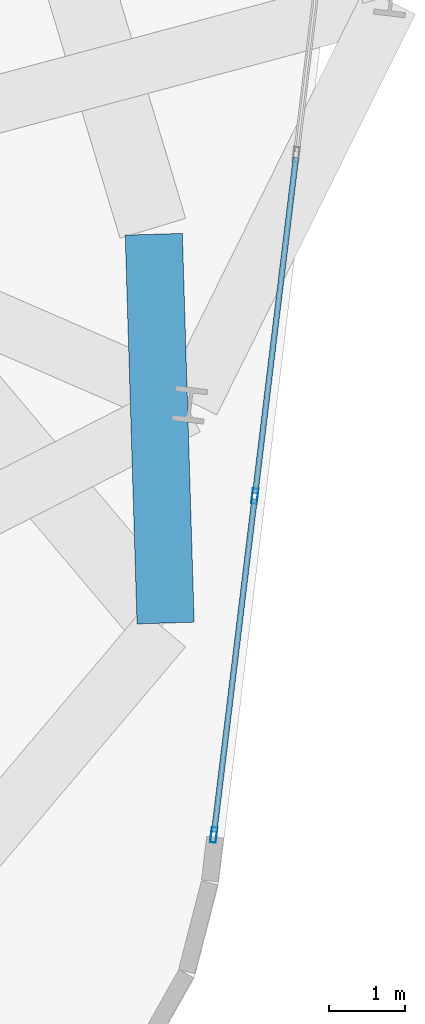
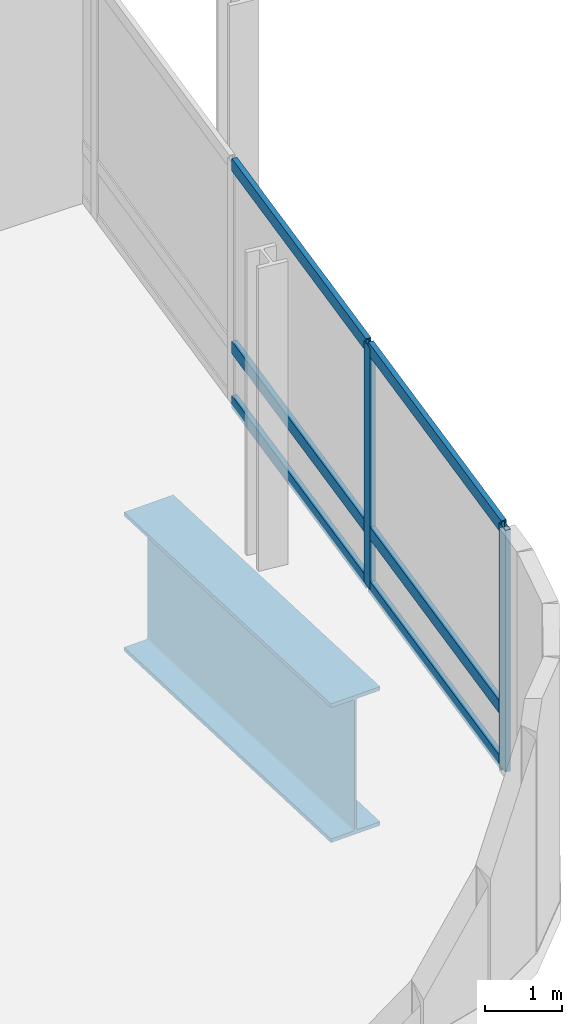
# One storey, part 10 of 22: 8 members, 1 beam, 1 element without a shape of its own.
"""IFC4 building model written with IfcOpenShell, lengths in metres."""

from ifc_helpers import new_model, si_unit, direction, frame, origin, origin_2d, place, context, subcontext, project, spatial, hollow_rectangle, i_section, extrude, material, layer, layer_set, material_profile, profile_set, type_object, element, aggregate, save


model = new_model("IFC4")

# Units and contexts
model_context = context("Model", 3, precision=1e-05, world=origin(), true_north=direction((0.0, 1.0)))
body_context = subcontext(model_context, "Body", "Model", "MODEL_VIEW")
ifc_project = project(units=[si_unit("LENGTHUNIT", "METRE"), si_unit("AREAUNIT", "SQUARE_METRE"), si_unit("VOLUMEUNIT", "CUBIC_METRE"), si_unit("PLANEANGLEUNIT", "RADIAN"), si_unit("MASSUNIT", "GRAM", prefix="KILO")], contexts=[model_context])

# Site, building, storey
site_placement = place(None, origin())
site = spatial("IfcSite", under=ifc_project, at=site_placement, CompositionType="ELEMENT")
building_placement = place(site_placement, origin())
building = spatial("IfcBuilding", under=site, at=building_placement, Name="Varnelok Gate Tower", CompositionType="ELEMENT")
storey_placement = place(building_placement, frame((0.0, 0.0, 116.89990234375)))
storey = spatial("IfcBuildingStorey", under=building, at=storey_placement, Name="L29", CompositionType="ELEMENT", Elevation=116.89990234375)

# Beam
ifc_material_1 = material(Name="Structural Steel ASTM A572 Grade 50", Category="steel")
ifc_material_profile_1 = material_profile(ifc_material_1, i_section(OverallWidth=0.75, OverallDepth=2.199951171875, WebThickness=0.031982421875, FlangeThickness=0.06005859375, FilletRadius=0.028076171875, at=origin_2d()), Name="PG2200X750")
ifc_profile_set_1 = profile_set([ifc_material_profile_1], Name="Structural Steel ASTM A572 Grade 50")
beam_type = type_object("IfcBeamType", Name="BM-TR-PG2200", PredefinedType="BEAM", material=ifc_profile_set_1)
beam_placement = place(storey_placement, frame((71.475341796875, 8.212646484375, -1.419921875), z_axis=(-0.030376021741, 0.99953854218, 0.0), x_axis=(-0.99953854218, -0.030376021741, 0.0)))
element("IfcBeam", 1, at=beam_placement, inside=storey, type_object=beam_type, Name="L29 Transfer Support Ring Girder 7", PredefinedType="BEAM", context=body_context, shape_type="SweptSolid", body=[
    extrude(i_section(OverallWidth=0.75, OverallDepth=2.199951171875, WebThickness=0.031982421875, FlangeThickness=0.06005859375, FilletRadius=0.028076171875, at=origin_2d()), origin(), (0.0, 0.0, 1.0), 5.103759765625),
])

# Curtain wall, members
ifc_material_2 = material(Name="Anodized Aluminum Alloy 6063-T6", Category="aluminium")
ifc_layer = layer(ifc_material_2, 0.179931640625)
ifc_layer_set = layer_set([ifc_layer], Name="Anodized Aluminum Alloy 6063-T6")
curtain_wall_type = type_object("IfcCurtainWallType", Name="CW2-ATRIUM-GLAZING", PredefinedType="USERDEFINED", material=ifc_layer_set)
curtain_wall_placement = place(storey_placement, origin())
curtain_wall = element("IfcCurtainWall", 2, at=curtain_wall_placement, inside=storey, type_object=curtain_wall_type, Name="L29 East End Vision Curtain Wall", ObjectType="UNITISED CURTAIN WALL", PredefinedType="USERDEFINED")
ifc_material_profile_2 = material_profile(ifc_material_2, hollow_rectangle(XDim=0.074951171875, YDim=0.199951171875, WallThickness=0.00390625, at=origin_2d()), Name="ALU200X75X4")
ifc_profile_set_2 = profile_set([ifc_material_profile_2], Name="Anodized Aluminum Alloy 6063-T6")
member_type_1 = type_object("IfcMemberType", Name="CW-MULL-200", PredefinedType="MULLION", material=ifc_profile_set_2)
member_1_placement = place(storey_placement, frame((72.64697265625, 9.876953125, 0.0), z_axis=(0.0, 0.0, 1.0), x_axis=(0.992732166735, -0.120344692987, 0.0)))
member_1 = element("IfcMember", 3, at=member_1_placement, type_object=member_type_1, Name="CW2 mullion 7", PredefinedType="MULLION", context=body_context, shape_type="SweptSolid", body=[
    extrude(hollow_rectangle(XDim=0.074951171875, YDim=0.199951171875, WallThickness=0.00390625, at=origin_2d()), origin(), (0.0, 0.0, 1.0), 3.830078125),
])
member_2_placement = place(storey_placement, frame((72.108154296875, 5.4326171875, 0.0), z_axis=(0.0, 0.0, 1.0), x_axis=(0.992732166735, -0.120344692987, 0.0)))
member_2 = element("IfcMember", 4, at=member_2_placement, type_object=member_type_1, Name="CW2 mullion 8", PredefinedType="MULLION", context=body_context, shape_type="SweptSolid", body=[
    extrude(hollow_rectangle(XDim=0.074951171875, YDim=0.199951171875, WallThickness=0.00390625, at=origin_2d()), origin(), (0.0, 0.0, 1.0), 3.830078125),
])
ifc_material_profile_3 = material_profile(ifc_material_2, hollow_rectangle(XDim=0.074951171875, YDim=0.199951171875, WallThickness=0.00390625, at=origin_2d()), Name="ALU200X75X4")
ifc_profile_set_3 = profile_set([ifc_material_profile_3], Name="Anodized Aluminum Alloy 6063-T6")
member_type_2 = type_object("IfcMemberType", Name="CW-TRAN-200", PredefinedType="USERDEFINED", material=ifc_profile_set_3)
member_3_placement = place(storey_placement, frame((73.185791015625, 14.3212890625, 0.03759765625), z_axis=(-0.120385566713, -0.992727210933, 0.0), x_axis=(0.992727210933, -0.120385566713, 0.0)))
member_3 = element("IfcMember", 5, at=member_3_placement, type_object=member_type_2, Name="CW2 transom 6.1", ObjectType="TRANSOM", PredefinedType="USERDEFINED", context=body_context, shape_type="SweptSolid", body=[
    extrude(hollow_rectangle(XDim=0.074951171875, YDim=0.199951171875, WallThickness=0.00390625, at=origin_2d()), origin(), (0.0, 0.0, 1.0), 4.439208984375),
])
member_4_placement = place(storey_placement, frame((73.185791015625, 14.3212890625, 0.900146484375), z_axis=(-0.120385566713, -0.992727210933, 0.0), x_axis=(0.992727210933, -0.120385566713, 0.0)))
member_4 = element("IfcMember", 6, at=member_4_placement, type_object=member_type_2, Name="CW2 transom 6.2", ObjectType="TRANSOM", PredefinedType="USERDEFINED", context=body_context, shape_type="SweptSolid", body=[
    extrude(hollow_rectangle(XDim=0.074951171875, YDim=0.199951171875, WallThickness=0.00390625, at=origin_2d()), origin(), (0.0, 0.0, 1.0), 4.439208984375),
])
member_5_placement = place(storey_placement, frame((73.185791015625, 14.3212890625, 3.79248046875), z_axis=(-0.120385566713, -0.992727210933, 0.0), x_axis=(0.992727210933, -0.120385566713, 0.0)))
member_5 = element("IfcMember", 7, at=member_5_placement, type_object=member_type_2, Name="CW2 transom 6.3", ObjectType="TRANSOM", PredefinedType="USERDEFINED", context=body_context, shape_type="SweptSolid", body=[
    extrude(hollow_rectangle(XDim=0.074951171875, YDim=0.199951171875, WallThickness=0.00390625, at=origin_2d()), origin(), (0.0, 0.0, 1.0), 4.439208984375),
])
member_6_placement = place(storey_placement, frame((72.642578125, 9.83984375, 0.03759765625), z_axis=(-0.120354556512, -0.992730970972, 0.0), x_axis=(0.992730970972, -0.120354556512, 0.0)))
member_6 = element("IfcMember", 8, at=member_6_placement, type_object=member_type_2, Name="CW2 transom 7.1", ObjectType="TRANSOM", PredefinedType="USERDEFINED", context=body_context, shape_type="SweptSolid", body=[
    extrude(hollow_rectangle(XDim=0.074951171875, YDim=0.199951171875, WallThickness=0.00390625, at=origin_2d()), origin(), (0.0, 0.0, 1.0), 4.40185546875),
])
member_7_placement = place(storey_placement, frame((72.642578125, 9.83984375, 0.900146484375), z_axis=(-0.120354556512, -0.992730970972, 0.0), x_axis=(0.992730970972, -0.120354556512, 0.0)))
member_7 = element("IfcMember", 9, at=member_7_placement, type_object=member_type_2, Name="CW2 transom 7.2", ObjectType="TRANSOM", PredefinedType="USERDEFINED", context=body_context, shape_type="SweptSolid", body=[
    extrude(hollow_rectangle(XDim=0.074951171875, YDim=0.199951171875, WallThickness=0.00390625, at=origin_2d()), origin(), (0.0, 0.0, 1.0), 4.40185546875),
])
member_8_placement = place(storey_placement, frame((72.642578125, 9.83984375, 3.79248046875), z_axis=(-0.120354556512, -0.992730970972, 0.0), x_axis=(0.992730970972, -0.120354556512, 0.0)))
member_8 = element("IfcMember", 10, at=member_8_placement, type_object=member_type_2, Name="CW2 transom 7.3", ObjectType="TRANSOM", PredefinedType="USERDEFINED", context=body_context, shape_type="SweptSolid", body=[
    extrude(hollow_rectangle(XDim=0.074951171875, YDim=0.199951171875, WallThickness=0.00390625, at=origin_2d()), origin(), (0.0, 0.0, 1.0), 4.40185546875),
])
aggregate(curtain_wall, [member_1, member_2, member_3, member_4, member_5, member_6, member_7, member_8])

save(model, "model.ifc")
